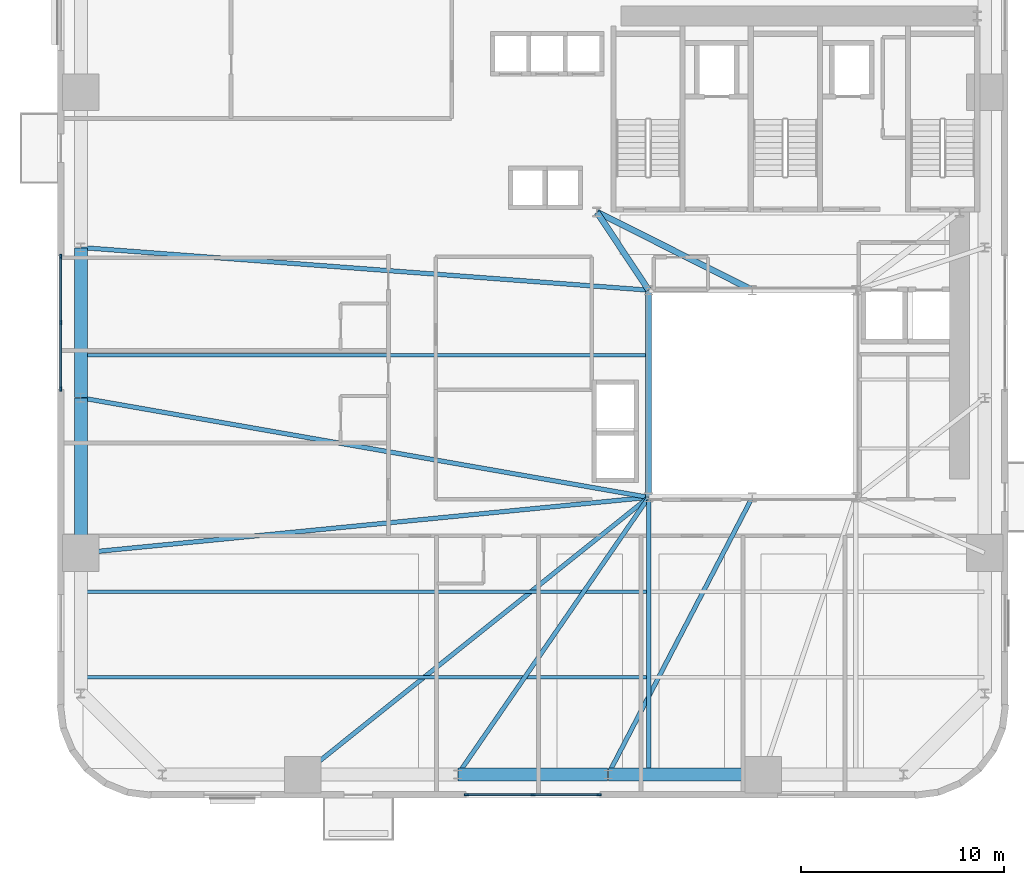
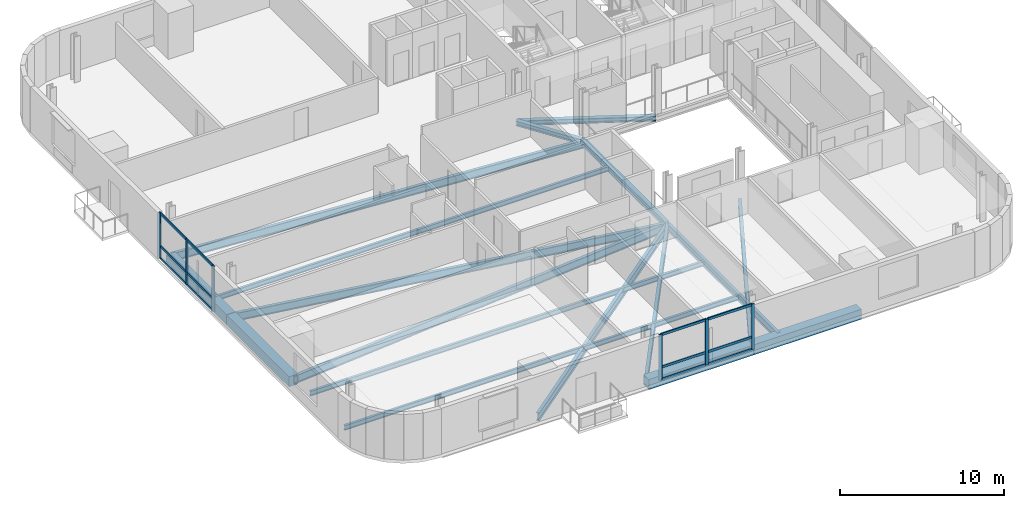
# One storey, part 2 of 11: 18 members, 17 beams, 2 elements without a shape of their own.
"""IFC4 building model written with IfcOpenShell, lengths in metres."""

from ifc_helpers import new_model, si_unit, direction, frame, origin, origin_2d, place, context, subcontext, project, spatial, rectangle, i_section, extrude, source, transform, mapped, material, material_profile, profile_set, type_object, element, aggregate, save


model = new_model("IFC4")

# Units and contexts
model_context = context("Model", 3, precision=1e-05, world=origin(), true_north=direction((0.0, 1.0)))
body_context = subcontext(model_context, "Body", "Model", "MODEL_VIEW")
ifc_project = project(units=[si_unit("LENGTHUNIT", "METRE"), si_unit("AREAUNIT", "SQUARE_METRE"), si_unit("VOLUMEUNIT", "CUBIC_METRE"), si_unit("PLANEANGLEUNIT", "RADIAN"), si_unit("MASSUNIT", "GRAM", prefix="KILO")], contexts=[model_context])

# Site, building, storey
site_placement = place(None, origin())
site = spatial("IfcSite", under=ifc_project, at=site_placement, CompositionType="ELEMENT")
building_placement = place(site_placement, origin())
building = spatial("IfcBuilding", under=site, at=building_placement, Name="Vardaveli Station Tower", CompositionType="ELEMENT")
storey_placement = place(building_placement, frame((0.0, 0.0, 42.199951171875)))
storey = spatial("IfcBuildingStorey", under=building, at=storey_placement, Name="L10", CompositionType="ELEMENT", Elevation=42.199951171875)

# Beams
ifc_material_1 = material(Name="Structural steel S355J2", Category="steel")
ifc_material_profile_1 = material_profile(ifc_material_1, i_section(OverallWidth=0.300048828125, OverallDepth=0.449951171875, WebThickness=0.013916015625, FlangeThickness=0.02587890625, FilletRadius=0.027099609375, at=origin_2d()), Name="HEB 450")
ifc_profile_set_1 = profile_set([ifc_material_profile_1], Name="Structural steel S355J2")
beam_type_1 = type_object("IfcBeamType", Name="BM-HEB450", PredefinedType="BEAM", material=ifc_profile_set_1)
shared_shape_1 = source(origin(), body_context, "Body", "SweptSolid", [
    extrude(i_section(OverallWidth=0.300048828125, OverallDepth=0.449951171875, WebThickness=0.013916015625, FlangeThickness=0.02587890625, FilletRadius=0.027099609375, at=origin_2d()), origin(), (0.0, 0.0, 1.0), 10.159912109375),
])
beam_1_placement = place(storey_placement, frame((31.199951171875, 26.780029296875, -0.46484375), z_axis=(0.0, -1.0, 0.0), x_axis=(1.0, 0.0, 0.0)))
element("IfcBeam", 1, at=beam_1_placement, inside=storey, type_object=beam_type_1, Name="ABM-L10-06", PredefinedType="BEAM", context=body_context, shape_type="MappedRepresentation", body=[
    mapped(shared_shape_1, transform((0.0, 0.0, 0.0), scale=1.0)),
])
ifc_material_profile_2 = material_profile(ifc_material_1, i_section(OverallWidth=0.300048828125, OverallDepth=0.360107421875, WebThickness=0.012451171875, FlangeThickness=0.0224609375, FilletRadius=0.027099609375, at=origin_2d()), Name="HEB 360")
ifc_profile_set_2 = profile_set([ifc_material_profile_2], Name="Structural steel S355J2")
beam_type_2 = type_object("IfcBeamType", Name="BM-HEB360", PredefinedType="BEAM", material=ifc_profile_set_2)
shared_shape_2 = source(origin(), body_context, "Body", "SweptSolid", [
    extrude(i_section(OverallWidth=0.300048828125, OverallDepth=0.360107421875, WebThickness=0.012451171875, FlangeThickness=0.0224609375, FilletRadius=0.027099609375, at=origin_2d()), origin(), (0.0, 0.0, 1.0), 4.577880859375),
])
beam_2_placement = place(storey_placement, frame((31.18896484375, 26.816650390625, -0.419921875), z_axis=(-0.55218702139, 0.833720272879, 0.0), x_axis=(-0.833720272879, -0.55218702139, 0.0)))
element("IfcBeam", 2, at=beam_2_placement, inside=storey, type_object=beam_type_2, Name="CBM-L10-01", PredefinedType="BEAM", context=body_context, shape_type="MappedRepresentation", body=[
    mapped(shared_shape_2, transform((0.0, 0.0, 0.0), scale=1.0)),
])
shared_shape_3 = source(origin(), body_context, "Body", "SweptSolid", [
    extrude(i_section(OverallWidth=0.300048828125, OverallDepth=0.360107421875, WebThickness=0.012451171875, FlangeThickness=0.0224609375, FilletRadius=0.027099609375, at=origin_2d()), origin(), (0.0, 0.0, 1.0), 8.524169921875),
])
beam_3_placement = place(storey_placement, frame((28.66796875, 30.64111328125, -0.419921875), z_axis=(0.893255584708, -0.449549174605, 0.0), x_axis=(0.449549174605, 0.893255584708, 0.0)))
element("IfcBeam", 3, at=beam_3_placement, inside=storey, type_object=beam_type_2, Name="CBM-L10-03", PredefinedType="BEAM", context=body_context, shape_type="MappedRepresentation", body=[
    mapped(shared_shape_3, transform((0.0, 0.0, 0.0), scale=1.0)),
])
ifc_material_2 = material(Name="Precast concrete C45/55", Category="concrete")
ifc_material_profile_3 = material_profile(ifc_material_2, rectangle(XDim=0.64990234375, YDim=0.75, at=origin_2d()), Name="LPB 650x750")
ifc_profile_set_3 = profile_set([ifc_material_profile_3], Name="Precast concrete C45/55")
beam_type_3 = type_object("IfcBeamType", Name="BM-LPB-750", PredefinedType="BEAM", material=ifc_profile_set_3)
shared_shape_4 = source(origin(), body_context, "Body", "SweptSolid", [
    extrude(rectangle(XDim=0.64990234375, YDim=0.75, at=origin_2d()), origin(), (0.0, 0.0, 1.0), 7.60009765625),
])
for number, where, z_axis, x_axis, name in (
    (4, (29.219970703125, 2.949951171875, -0.614990234375), (1.0, 0.0, 0.0), (0.0, 1.0, 0.0), "RBM-L10-03"),
    (5, (3.25, 21.47998046875, -0.614990234375), (0.0, -1.0, 0.0), (1.0, 0.0, 0.0), "RBM-L10-21"),
):
    element("IfcBeam", number, at=place(storey_placement, frame(where, z_axis=z_axis, x_axis=x_axis)), inside=storey, type_object=beam_type_3, Name=name, PredefinedType="BEAM", context=body_context, shape_type="MappedRepresentation", body=[
        mapped(shared_shape_4, transform((0.0, 0.0, 0.0), scale=1.0)),
    ])
shared_shape_5 = source(origin(), body_context, "Body", "SweptSolid", [
    extrude(rectangle(XDim=0.64990234375, YDim=0.75, at=origin_2d()), origin(), (0.0, 0.0, 1.0), 7.35986328125),
])
for number, where, z_axis, x_axis, name in (
    (6, (21.820068359375, 2.949951171875, -0.614990234375), (1.0, 0.0, 0.0), (0.0, 1.0, 0.0), "RBM-L10-02"),
    (7, (3.25, 28.8798828125, -0.614990234375), (0.0, -1.0, 0.0), (1.0, 0.0, 0.0), "RBM-L10-20"),
):
    element("IfcBeam", number, at=place(storey_placement, frame(where, z_axis=z_axis, x_axis=x_axis)), inside=storey, type_object=beam_type_3, Name=name, PredefinedType="BEAM", context=body_context, shape_type="MappedRepresentation", body=[
        mapped(shared_shape_5, transform((0.0, 0.0, 0.0), scale=1.0)),
    ])
ifc_material_profile_4 = material_profile(ifc_material_1, i_section(OverallWidth=0.219970703125, OverallDepth=0.60009765625, WebThickness=0.011962890625, FlangeThickness=0.01904296875, FilletRadius=0.02392578125, at=origin_2d()), Name="IPE 600")
ifc_profile_set_4 = profile_set([ifc_material_profile_4], Name="Structural steel S355J2")
beam_type_4 = type_object("IfcBeamType", Name="BM-IPE600", PredefinedType="BEAM", material=ifc_profile_set_4)
shared_shape_6 = source(origin(), body_context, "Body", "SweptSolid", [
    extrude(i_section(OverallWidth=0.219970703125, OverallDepth=0.60009765625, WebThickness=0.011962890625, FlangeThickness=0.01904296875, FilletRadius=0.02392578125, at=origin_2d()), origin(), (0.0, 0.0, 1.0), 21.793212890625),
])
beam_4_placement = place(storey_placement, frame((14.175537109375, 2.96240234375, -0.5400390625), z_axis=(0.780466445023, 0.625197671296, 0.0), x_axis=(-0.625197671296, 0.780466445023, 0.0)))
element("IfcBeam", 8, at=beam_4_placement, inside=storey, type_object=beam_type_4, Name="GBM-L10-01", PredefinedType="BEAM", context=body_context, shape_type="MappedRepresentation", body=[
    mapped(shared_shape_6, transform((0.0, 0.0, 0.0), scale=1.0)),
])
shared_shape_7 = source(origin(), body_context, "Body", "SweptSolid", [
    extrude(i_section(OverallWidth=0.219970703125, OverallDepth=0.60009765625, WebThickness=0.011962890625, FlangeThickness=0.01904296875, FilletRadius=0.02392578125, at=origin_2d()), origin(), (0.0, 0.0, 1.0), 16.533447265625),
])
beam_5_placement = place(storey_placement, frame((21.811279296875, 2.966552734375, -0.5400390625), z_axis=(0.567177272103, 0.823595739431, 0.0), x_axis=(-0.823595739431, 0.567177272103, 0.0)))
element("IfcBeam", 9, at=beam_5_placement, inside=storey, type_object=beam_type_4, Name="GBM-L10-02", PredefinedType="BEAM", context=body_context, shape_type="MappedRepresentation", body=[
    mapped(shared_shape_7, transform((0.0, 0.0, 0.0), scale=1.0)),
])
shared_shape_8 = source(origin(), body_context, "Body", "SweptSolid", [
    extrude(i_section(OverallWidth=0.219970703125, OverallDepth=0.60009765625, WebThickness=0.011962890625, FlangeThickness=0.01904296875, FilletRadius=0.02392578125, at=origin_2d()), origin(), (0.0, 0.0, 1.0), 15.34619140625),
])
beam_6_placement = place(storey_placement, frame((29.209228515625, 2.9677734375, -0.5400390625), z_axis=(0.461455420507, 0.887163398075, 0.0), x_axis=(-0.887163398075, 0.461455420507, 0.0)))
element("IfcBeam", 10, at=beam_6_placement, inside=storey, type_object=beam_type_4, Name="GBM-L10-03", PredefinedType="BEAM", context=body_context, shape_type="MappedRepresentation", body=[
    mapped(shared_shape_8, transform((0.0, 0.0, 0.0), scale=1.0)),
])
shared_shape_9 = source(origin(), body_context, "Body", "SweptSolid", [
    extrude(i_section(OverallWidth=0.219970703125, OverallDepth=0.60009765625, WebThickness=0.011962890625, FlangeThickness=0.01904296875, FilletRadius=0.02392578125, at=origin_2d()), origin(), (0.0, 0.0, 1.0), 27.98876953125),
])
beam_7_placement = place(storey_placement, frame((3.27001953125, 28.8984375, -0.5400390625), z_axis=(0.99718954315, -0.074920057611, 0.0), x_axis=(0.074920057611, 0.99718954315, 0.0)))
element("IfcBeam", 11, at=beam_7_placement, inside=storey, type_object=beam_type_4, Name="GBM-L10-08", PredefinedType="BEAM", context=body_context, shape_type="MappedRepresentation", body=[
    mapped(shared_shape_9, transform((0.0, 0.0, 0.0), scale=1.0)),
])
shared_shape_10 = source(origin(), body_context, "Body", "SweptSolid", [
    extrude(i_section(OverallWidth=0.219970703125, OverallDepth=0.60009765625, WebThickness=0.011962890625, FlangeThickness=0.01904296875, FilletRadius=0.02392578125, at=origin_2d()), origin(), (0.0, 0.0, 1.0), 28.33642578125),
])
beam_8_placement = place(storey_placement, frame((3.269775390625, 21.49658203125, -0.5400390625), z_axis=(0.984978267336, -0.172678350921, 0.0), x_axis=(0.172678350921, 0.984978267336, 0.0)))
element("IfcBeam", 12, at=beam_8_placement, inside=storey, type_object=beam_type_4, Name="GBM-L10-09", PredefinedType="BEAM", context=body_context, shape_type="MappedRepresentation", body=[
    mapped(shared_shape_10, transform((0.0, 0.0, 0.0), scale=1.0)),
])
shared_shape_11 = source(origin(), body_context, "Body", "SweptSolid", [
    extrude(i_section(OverallWidth=0.219970703125, OverallDepth=0.60009765625, WebThickness=0.011962890625, FlangeThickness=0.01904296875, FilletRadius=0.02392578125, at=origin_2d()), origin(), (0.0, 0.0, 1.0), 28.0439453125),
])
beam_9_placement = place(storey_placement, frame((3.27001953125, 13.862060546875, -0.5400390625), z_axis=(0.995229237856, 0.097564153855, 0.0), x_axis=(-0.097564153855, 0.995229237856, 0.0)))
element("IfcBeam", 13, at=beam_9_placement, inside=storey, type_object=beam_type_4, Name="GBM-L10-10", PredefinedType="BEAM", context=body_context, shape_type="MappedRepresentation", body=[
    mapped(shared_shape_11, transform((0.0, 0.0, 0.0), scale=1.0)),
])
ifc_material_profile_5 = material_profile(ifc_material_1, i_section(OverallWidth=0.2099609375, OverallDepth=0.550048828125, WebThickness=0.010986328125, FlangeThickness=0.01708984375, FilletRadius=0.02392578125, at=origin_2d()), Name="IPE 550")
ifc_profile_set_5 = profile_set([ifc_material_profile_5], Name="Structural steel S355J2")
beam_type_5 = type_object("IfcBeamType", Name="BM-IPE550", PredefinedType="BEAM", material=ifc_profile_set_5)
shared_shape_12 = source(origin(), body_context, "Body", "SweptSolid", [
    extrude(i_section(OverallWidth=0.2099609375, OverallDepth=0.550048828125, WebThickness=0.010986328125, FlangeThickness=0.01708984375, FilletRadius=0.02392578125, at=origin_2d()), origin(), (0.0, 0.0, 1.0), 13.469970703125),
])
beam_10_placement = place(storey_placement, frame((31.199951171875, 2.989990234375, -0.514892578125), z_axis=(0.0, 1.0, 0.0), x_axis=(-1.0, 0.0, 0.0)))
element("IfcBeam", 14, at=beam_10_placement, inside=storey, type_object=beam_type_5, Name="NSM-L10-S1", PredefinedType="BEAM", context=body_context, shape_type="MappedRepresentation", body=[
    mapped(shared_shape_12, transform((0.0, 0.0, 0.0), scale=1.0)),
])
ifc_material_profile_6 = material_profile(ifc_material_1, i_section(OverallWidth=0.169921875, OverallDepth=0.360107421875, WebThickness=0.008056640625, FlangeThickness=0.0126953125, FilletRadius=0.01806640625, at=origin_2d()), Name="IPE 360")
ifc_profile_set_6 = profile_set([ifc_material_profile_6], Name="Structural steel S355J2")
beam_type_6 = type_object("IfcBeamType", Name="BM-IPE360", PredefinedType="JOIST", material=ifc_profile_set_6)
shared_shape_13 = source(origin(), body_context, "Body", "SweptSolid", [
    extrude(i_section(OverallWidth=0.169921875, OverallDepth=0.360107421875, WebThickness=0.008056640625, FlangeThickness=0.0126953125, FilletRadius=0.01806640625, at=origin_2d()), origin(), (0.0, 0.0, 1.0), 27.7978515625),
])
for number, where, z_axis, x_axis, name in (
    (15, (3.2900390625, 7.75, -0.419921875), (1.0, 0.0, 0.0), (0.0, 1.0, 0.0), "SJ-L10-S01"),
    (16, (3.2900390625, 11.949951171875, -0.419921875), (1.0, 0.0, 0.0), (0.0, 1.0, 0.0), "SJ-L10-S04"),
    (17, (3.2900390625, 23.60009765625, -0.419921875), (1.0, 0.0, 0.0), (0.0, 1.0, 0.0), "SJ-L10-W08"),
):
    element("IfcBeam", number, at=place(storey_placement, frame(where, z_axis=z_axis, x_axis=x_axis)), inside=storey, type_object=beam_type_6, Name=name, PredefinedType="JOIST", context=body_context, shape_type="MappedRepresentation", body=[
        mapped(shared_shape_13, transform((0.0, 0.0, 0.0), scale=1.0)),
    ])

# Curtain wall, members
ifc_material_3 = material(Name="Travertine stone and solar-control glass", Category="masonry")
curtain_wall_type = type_object("IfcCurtainWallType", Name="CW-SYS-2", PredefinedType="NOTDEFINED", material=ifc_material_3)
curtain_wall_1_placement = place(storey_placement, origin())
curtain_wall_1 = element("IfcCurtainWall", 18, at=curtain_wall_1_placement, inside=storey, type_object=curtain_wall_type, Name="CW-L10-S", PredefinedType="NOTDEFINED")
ifc_material_4 = material(Name="Anodised aluminium alloy 6063-T6", Category="aluminium")
ifc_material_profile_7 = material_profile(ifc_material_4, rectangle(XDim=0.0849609375, YDim=0.179931640625, at=origin_2d()), Name="CWT 85x180")
ifc_profile_set_7 = profile_set([ifc_material_profile_7], Name="Anodised aluminium alloy 6063-T6")
member_type_1 = type_object("IfcMemberType", Name="CW-SYS-2-TRAN", PredefinedType="NOTDEFINED", material=ifc_profile_set_7)
shared_shape_14 = source(origin(), body_context, "Body", "SweptSolid", [
    extrude(rectangle(XDim=0.0849609375, YDim=0.179931640625, at=origin_2d()), origin(), (0.0, 0.0, 1.0), 3.172607421875),
])
member_1_placement = place(storey_placement, frame((22.284912109375, 1.9599609375, 0.04248046875), z_axis=(1.0, 0.0, 0.0), x_axis=(0.0, 1.0, 0.0)))
member_1 = element("IfcMember", 19, at=member_1_placement, type_object=member_type_1, Name="CW-2 transom 1.1", ObjectType="TRANSOM", PredefinedType="USERDEFINED", context=body_context, shape_type="MappedRepresentation", body=[
    mapped(shared_shape_14, transform((0.0, 0.0, 0.0), scale=1.0)),
])
member_2_placement = place(storey_placement, frame((22.284912109375, 1.9599609375, 0.949951171875), z_axis=(1.0, 0.0, 0.0), x_axis=(0.0, 1.0, 0.0)))
member_2 = element("IfcMember", 20, at=member_2_placement, type_object=member_type_1, Name="CW-2 transom 1.2", ObjectType="TRANSOM", PredefinedType="USERDEFINED", context=body_context, shape_type="MappedRepresentation", body=[
    mapped(shared_shape_14, transform((0.0, 0.0, 0.0), scale=1.0)),
])
member_3_placement = place(storey_placement, frame((22.284912109375, 1.9599609375, 3.367431640625), z_axis=(1.0, 0.0, 0.0), x_axis=(0.0, 1.0, 0.0)))
member_3 = element("IfcMember", 21, at=member_3_placement, type_object=member_type_1, Name="CW-2 transom 1.3", ObjectType="TRANSOM", PredefinedType="USERDEFINED", context=body_context, shape_type="MappedRepresentation", body=[
    mapped(shared_shape_14, transform((0.0, 0.0, 0.0), scale=1.0)),
])
member_4_placement = place(storey_placement, frame((25.54248046875, 1.9599609375, 0.04248046875), z_axis=(1.0, 0.0, 0.0), x_axis=(0.0, 1.0, 0.0)))
member_4 = element("IfcMember", 22, at=member_4_placement, type_object=member_type_1, Name="CW-2 transom 2.1", ObjectType="TRANSOM", PredefinedType="USERDEFINED", context=body_context, shape_type="MappedRepresentation", body=[
    mapped(shared_shape_14, transform((0.0, 0.0, 0.0), scale=1.0)),
])
member_5_placement = place(storey_placement, frame((25.54248046875, 1.9599609375, 0.949951171875), z_axis=(1.0, 0.0, 0.0), x_axis=(0.0, 1.0, 0.0)))
member_5 = element("IfcMember", 23, at=member_5_placement, type_object=member_type_1, Name="CW-2 transom 2.2", ObjectType="TRANSOM", PredefinedType="USERDEFINED", context=body_context, shape_type="MappedRepresentation", body=[
    mapped(shared_shape_14, transform((0.0, 0.0, 0.0), scale=1.0)),
])
member_6_placement = place(storey_placement, frame((25.54248046875, 1.9599609375, 3.367431640625), z_axis=(1.0, 0.0, 0.0), x_axis=(0.0, 1.0, 0.0)))
member_6 = element("IfcMember", 24, at=member_6_placement, type_object=member_type_1, Name="CW-2 transom 2.3", ObjectType="TRANSOM", PredefinedType="USERDEFINED", context=body_context, shape_type="MappedRepresentation", body=[
    mapped(shared_shape_14, transform((0.0, 0.0, 0.0), scale=1.0)),
])

curtain_wall_2_placement = place(storey_placement, origin())
curtain_wall_2 = element("IfcCurtainWall", 25, at=curtain_wall_2_placement, inside=storey, type_object=curtain_wall_type, Name="CW-L10-W", PredefinedType="NOTDEFINED")
member_7_placement = place(storey_placement, frame((2.260009765625, 28.4150390625, 0.04248046875), z_axis=(0.0, -1.0, 0.0), x_axis=(1.0, 0.0, 0.0)))
member_7 = element("IfcMember", 26, at=member_7_placement, type_object=member_type_1, Name="CW-2 transom 1.1", ObjectType="TRANSOM", PredefinedType="USERDEFINED", context=body_context, shape_type="MappedRepresentation", body=[
    mapped(shared_shape_14, transform((0.0, 0.0, 0.0), scale=1.0)),
])
member_8_placement = place(storey_placement, frame((2.260009765625, 28.4150390625, 0.949951171875), z_axis=(0.0, -1.0, 0.0), x_axis=(1.0, 0.0, 0.0)))
member_8 = element("IfcMember", 27, at=member_8_placement, type_object=member_type_1, Name="CW-2 transom 1.2", ObjectType="TRANSOM", PredefinedType="USERDEFINED", context=body_context, shape_type="MappedRepresentation", body=[
    mapped(shared_shape_14, transform((0.0, 0.0, 0.0), scale=1.0)),
])
member_9_placement = place(storey_placement, frame((2.260009765625, 28.4150390625, 3.367431640625), z_axis=(0.0, -1.0, 0.0), x_axis=(1.0, 0.0, 0.0)))
member_9 = element("IfcMember", 28, at=member_9_placement, type_object=member_type_1, Name="CW-2 transom 1.3", ObjectType="TRANSOM", PredefinedType="USERDEFINED", context=body_context, shape_type="MappedRepresentation", body=[
    mapped(shared_shape_14, transform((0.0, 0.0, 0.0), scale=1.0)),
])
shared_shape_15 = source(origin(), body_context, "Body", "SweptSolid", [
    extrude(rectangle(XDim=0.0849609375, YDim=0.179931640625, at=origin_2d()), origin(), (0.0, 0.0, 1.0), 3.17236328125),
])
member_10_placement = place(storey_placement, frame((2.260009765625, 25.157470703125, 0.04248046875), z_axis=(0.0, -1.0, 0.0), x_axis=(1.0, 0.0, 0.0)))
member_10 = element("IfcMember", 29, at=member_10_placement, type_object=member_type_1, Name="CW-2 transom 2.1", ObjectType="TRANSOM", PredefinedType="USERDEFINED", context=body_context, shape_type="MappedRepresentation", body=[
    mapped(shared_shape_15, transform((0.0, 0.0, 0.0), scale=1.0)),
])
member_11_placement = place(storey_placement, frame((2.260009765625, 25.157470703125, 0.949951171875), z_axis=(0.0, -1.0, 0.0), x_axis=(1.0, 0.0, 0.0)))
member_11 = element("IfcMember", 30, at=member_11_placement, type_object=member_type_1, Name="CW-2 transom 2.2", ObjectType="TRANSOM", PredefinedType="USERDEFINED", context=body_context, shape_type="MappedRepresentation", body=[
    mapped(shared_shape_15, transform((0.0, 0.0, 0.0), scale=1.0)),
])
member_12_placement = place(storey_placement, frame((2.260009765625, 25.157470703125, 3.367431640625), z_axis=(0.0, -1.0, 0.0), x_axis=(1.0, 0.0, 0.0)))
member_12 = element("IfcMember", 31, at=member_12_placement, type_object=member_type_1, Name="CW-2 transom 2.3", ObjectType="TRANSOM", PredefinedType="USERDEFINED", context=body_context, shape_type="MappedRepresentation", body=[
    mapped(shared_shape_15, transform((0.0, 0.0, 0.0), scale=1.0)),
])

# Member
ifc_material_profile_8 = material_profile(ifc_material_4, rectangle(XDim=0.0849609375, YDim=0.219970703125, at=origin_2d()), Name="CWM 85x220")
ifc_profile_set_8 = profile_set([ifc_material_profile_8], Name="Anodised aluminium alloy 6063-T6")
member_type_2 = type_object("IfcMemberType", Name="CW-SYS-2-MULL", PredefinedType="MULLION", material=ifc_profile_set_8)
shared_shape_16 = source(origin(), body_context, "Body", "SweptSolid", [
    extrude(rectangle(XDim=0.0849609375, YDim=0.219970703125, at=origin_2d()), origin(), (0.0, 0.0, 1.0), 3.41015625),
])
member_13_placement = place(storey_placement, frame((22.242431640625, 1.9599609375, 0.0), z_axis=(0.0, 0.0, 1.0), x_axis=(0.0, 1.0, 0.0)))
member_13 = element("IfcMember", 32, at=member_13_placement, type_object=member_type_2, Name="CW-2 mullion 1", PredefinedType="MULLION", context=body_context, shape_type="MappedRepresentation", body=[
    mapped(shared_shape_16, transform((0.0, 0.0, 0.0), scale=1.0)),
])

member_14_placement = place(storey_placement, frame((25.5, 1.9599609375, 0.0), z_axis=(0.0, 0.0, 1.0), x_axis=(0.0, 1.0, 0.0)))
member_14 = element("IfcMember", 33, at=member_14_placement, type_object=member_type_2, Name="CW-2 mullion 2", PredefinedType="MULLION", context=body_context, shape_type="MappedRepresentation", body=[
    mapped(shared_shape_16, transform((0.0, 0.0, 0.0), scale=1.0)),
])

member_15_placement = place(storey_placement, frame((28.757568359375, 1.9599609375, 0.0), z_axis=(0.0, 0.0, 1.0), x_axis=(0.0, 1.0, 0.0)))
member_15 = element("IfcMember", 34, at=member_15_placement, type_object=member_type_2, Name="CW-2 mullion 3", PredefinedType="MULLION", context=body_context, shape_type="MappedRepresentation", body=[
    mapped(shared_shape_16, transform((0.0, 0.0, 0.0), scale=1.0)),
])

aggregate(curtain_wall_1, [member_13, member_14, member_15, member_1, member_2, member_3, member_4, member_5, member_6])

member_16_placement = place(storey_placement, frame((2.260009765625, 28.45751953125, 0.0), z_axis=(0.0, 0.0, 1.0), x_axis=(1.0, 0.0, 0.0)))
member_16 = element("IfcMember", 35, at=member_16_placement, type_object=member_type_2, Name="CW-2 mullion 1", PredefinedType="MULLION", context=body_context, shape_type="MappedRepresentation", body=[
    mapped(shared_shape_16, transform((0.0, 0.0, 0.0), scale=1.0)),
])

member_17_placement = place(storey_placement, frame((2.260009765625, 25.199951171875, 0.0), z_axis=(0.0, 0.0, 1.0), x_axis=(1.0, 0.0, 0.0)))
member_17 = element("IfcMember", 36, at=member_17_placement, type_object=member_type_2, Name="CW-2 mullion 2", PredefinedType="MULLION", context=body_context, shape_type="MappedRepresentation", body=[
    mapped(shared_shape_16, transform((0.0, 0.0, 0.0), scale=1.0)),
])

member_18_placement = place(storey_placement, frame((2.260009765625, 21.9423828125, 0.0), z_axis=(0.0, 0.0, 1.0), x_axis=(1.0, 0.0, 0.0)))
member_18 = element("IfcMember", 37, at=member_18_placement, type_object=member_type_2, Name="CW-2 mullion 3", PredefinedType="MULLION", context=body_context, shape_type="MappedRepresentation", body=[
    mapped(shared_shape_16, transform((0.0, 0.0, 0.0), scale=1.0)),
])

aggregate(curtain_wall_2, [member_16, member_17, member_18, member_7, member_8, member_9, member_10, member_11, member_12])

save(model, "model.ifc")
